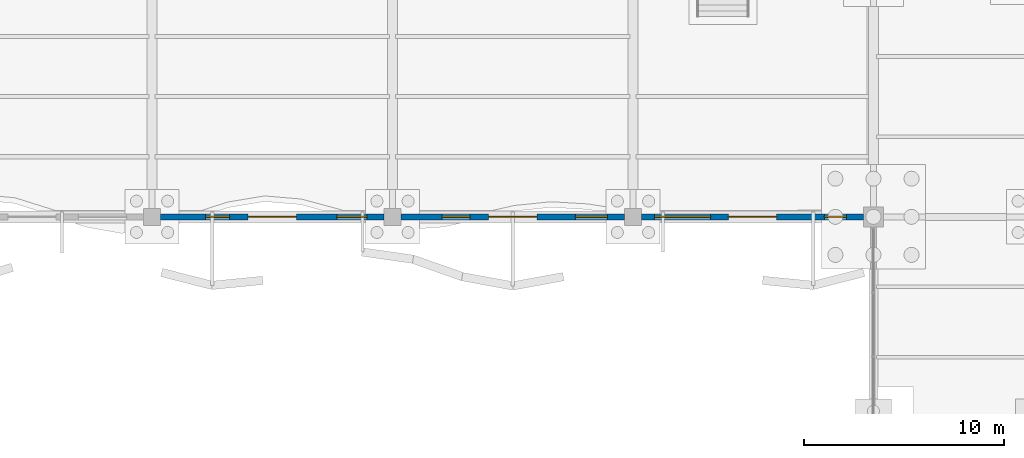
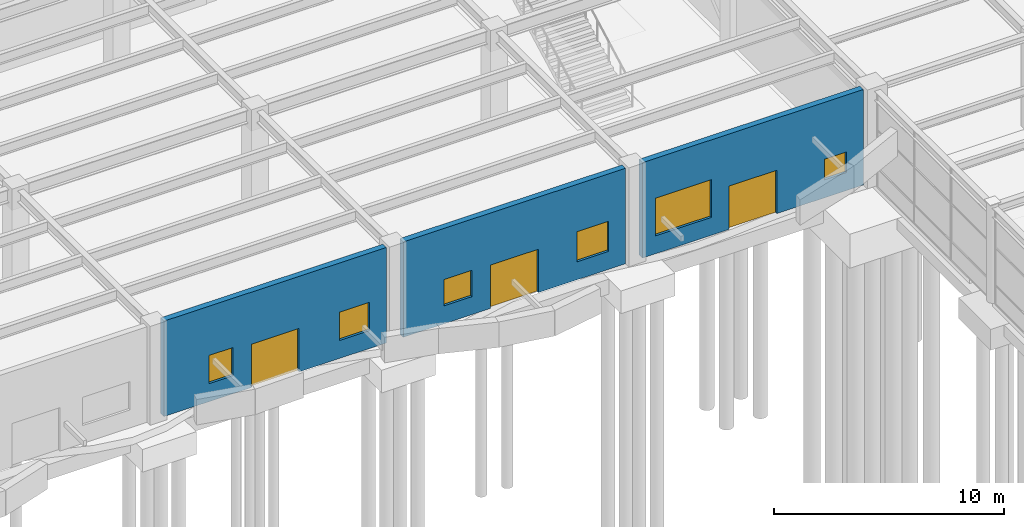
# One storey, part 63 of 85: 6 windows, 3 doors, 3 walls, 9 openings.
"""IFC4 building model written with IfcOpenShell, lengths in metres."""

from ifc_helpers import new_model, si_unit, direction, frame, frame_2d, origin, place, context, subcontext, project, spatial, rectangle, extrude, material, layer, layer_set, type_object, element, fill, save


model = new_model("IFC4")

# Units and contexts
model_context = context("Model", 3, precision=1e-05, world=origin(), true_north=direction((0.0, 1.0)))
body_context = subcontext(model_context, "Body", "Model", "MODEL_VIEW")
ifc_project = project(units=[si_unit("LENGTHUNIT", "METRE"), si_unit("AREAUNIT", "SQUARE_METRE"), si_unit("VOLUMEUNIT", "CUBIC_METRE"), si_unit("PLANEANGLEUNIT", "RADIAN"), si_unit("MASSUNIT", "GRAM", prefix="KILO")], contexts=[model_context])

# Site, building, storey
site_placement = place(None, origin())
site = spatial("IfcSite", under=ifc_project, at=site_placement, CompositionType="ELEMENT")
building_placement = place(site_placement, origin())
building = spatial("IfcBuilding", under=site, at=building_placement, Name="Keelwater Ferry Terminal", CompositionType="ELEMENT")
storey_placement = place(building_placement, origin())
storey = spatial("IfcBuildingStorey", under=building, at=storey_placement, Name="L00", CompositionType="ELEMENT", Elevation=0.0)

# Wall, openings, door, windows
ifc_material_1 = material(Name="Precast concrete C40/50", Category="concrete")
ifc_layer = layer(ifc_material_1, 0.300048828125)
ifc_layer_set = layer_set([ifc_layer], Name="Precast concrete C40/50")
wall_type = type_object("IfcWallType", Name="EW-PC300 External Solid Wall 300", PredefinedType="SOLIDWALL", material=ifc_layer_set)
wall_1_placement = place(storey_placement, frame((107.574951171875, 42.0, 0.0), z_axis=(0.0, 0.0, 1.0), x_axis=(-1.0, 0.0, 0.0)))
wall_1 = element("IfcWall", 1, at=wall_1_placement, inside=storey, type_object=wall_type, Name="External Wall WL-L00-0039", PredefinedType="SOLIDWALL", context=body_context, shape_type="SweptSolid", body=[
    extrude(rectangle(XDim=11.14990234375, YDim=0.300048828125, at=frame_2d((5.574951171875, 0.0))), origin(), (0.0, 0.0, 1.0), 5.06005859375),
])
opening_1_placement = place(wall_1_placement, frame((4.375, 0.0, 0.0)))
opening_1 = element("IfcOpeningElement", 2, at=opening_1_placement, cuts=wall_1, Name="Opening ED-09", PredefinedType="OPENING", context=body_context, shape_type="SweptSolid", body=[
    extrude(rectangle(XDim=2.39990234375, YDim=2.300048828125, at=frame_2d((1.199951171875, 1.14990234375))), frame((0.0, 0.159912109375, 0.0), z_axis=(0.0, -1.0, 0.0), x_axis=(1.0, 0.0, 0.0)), (0.0, 0.0, 1.0), 0.320068359375),
])
opening_2_placement = place(wall_1_placement, frame((0.85009765625, 0.0, 0.949951171875)))
opening_2 = element("IfcOpeningElement", 3, at=opening_2_placement, cuts=wall_1, Name="Opening WN-13", PredefinedType="OPENING", context=body_context, shape_type="SweptSolid", body=[
    extrude(rectangle(XDim=1.5, YDim=1.5, at=frame_2d((0.75, 0.75))), frame((0.0, 0.159912109375, 0.0), z_axis=(0.0, -1.0, 0.0), x_axis=(1.0, 0.0, 0.0)), (0.0, 0.0, 1.0), 0.320068359375),
])
opening_3_placement = place(wall_1_placement, frame((7.699951171875, 0.0, 0.949951171875)))
opening_3 = element("IfcOpeningElement", 4, at=opening_3_placement, cuts=wall_1, Name="Opening WN-14", PredefinedType="OPENING", context=body_context, shape_type="SweptSolid", body=[
    extrude(rectangle(XDim=1.199951171875, YDim=1.5, at=frame_2d((0.60009765625, 0.75))), frame((0.0, 0.159912109375, 0.0), z_axis=(0.0, -1.0, 0.0), x_axis=(1.0, 0.0, 0.0)), (0.0, 0.0, 1.0), 0.320068359375),
])
ifc_material_2 = material(Name="Anodised aluminium and laminated safety glass", Category="aluminium")
door_type = type_object("IfcDoorType", Name="ED-T1 Pedestrian Door 2400x2300", OperationType="DOUBLE_DOOR_SINGLE_SWING", PredefinedType="DOOR", material=ifc_material_2)
door_1_placement = place(opening_1_placement, origin())
door_1 = element("IfcDoor", 5, at=door_1_placement, inside=storey, type_object=door_type, Name="Door ED-09", OperationType="DOUBLE_DOOR_SINGLE_SWING", OverallHeight=2.300048828125, OverallWidth=2.39990234375, PredefinedType="DOOR", context=body_context, shape_type="SweptSolid", body=[
    extrude(rectangle(XDim=2.39990234375, YDim=2.300048828125, at=frame_2d((1.199951171875, 1.14990234375))), frame((0.0, 0.02490234375, 0.0), z_axis=(0.0, -1.0, 0.0), x_axis=(1.0, 0.0, 0.0)), (0.0, 0.0, 1.0), 0.050048828125),
])
fill(opening_1, door_1)
ifc_material_3 = material(Name="Triple low-E glass in thermally broken aluminium frame", Category="aluminium")
window_type_1 = type_object("IfcWindowType", Name="WN-13 Exterior Window 1500x1500", PartitioningType="SINGLE_PANEL", PredefinedType="WINDOW", material=ifc_material_3)
window_1_placement = place(opening_2_placement, origin())
window_1 = element("IfcWindow", 6, at=window_1_placement, inside=storey, type_object=window_type_1, Name="Window WN-L00-0013", OverallHeight=1.5, OverallWidth=1.5, PartitioningType="SINGLE_PANEL", PredefinedType="WINDOW", context=body_context, shape_type="SweptSolid", body=[
    extrude(rectangle(XDim=1.5, YDim=1.5, at=frame_2d((0.75, 0.75))), frame((0.0, 0.030029296875, 0.0), z_axis=(0.0, -1.0, 0.0), x_axis=(1.0, 0.0, 0.0)), (0.0, 0.0, 1.0), 0.06005859375),
])
fill(opening_2, window_1)
ifc_material_4 = material(Name="Triple low-E glass in thermally broken aluminium frame", Category="aluminium")
window_type_2 = type_object("IfcWindowType", Name="WN-14 Exterior Window 1200x1500", PartitioningType="SINGLE_PANEL", PredefinedType="WINDOW", material=ifc_material_4)
window_2_placement = place(opening_3_placement, origin())
window_2 = element("IfcWindow", 7, at=window_2_placement, inside=storey, type_object=window_type_2, Name="Window WN-L00-0014", OverallHeight=1.5, OverallWidth=1.199951171875, PartitioningType="SINGLE_PANEL", PredefinedType="WINDOW", context=body_context, shape_type="SweptSolid", body=[
    extrude(rectangle(XDim=1.199951171875, YDim=1.5, at=frame_2d((0.60009765625, 0.75))), frame((0.0, 0.030029296875, 0.0), z_axis=(0.0, -1.0, 0.0), x_axis=(1.0, 0.0, 0.0)), (0.0, 0.0, 1.0), 0.06005859375),
])
fill(opening_3, window_2)

wall_2_placement = place(storey_placement, frame((119.574951171875, 42.0, 0.0), z_axis=(0.0, 0.0, 1.0), x_axis=(-1.0, 0.0, 0.0)))
wall_2 = element("IfcWall", 8, at=wall_2_placement, inside=storey, type_object=wall_type, Name="External Wall WL-L00-0040", PredefinedType="SOLIDWALL", context=body_context, shape_type="SweptSolid", body=[
    extrude(rectangle(XDim=11.14990234375, YDim=0.300048828125, at=frame_2d((5.574951171875, 0.0))), origin(), (0.0, 0.0, 1.0), 5.06005859375),
])
opening_4_placement = place(wall_2_placement, frame((4.375, 0.0, 0.0)))
opening_4 = element("IfcOpeningElement", 9, at=opening_4_placement, cuts=wall_2, Name="Opening ED-10", PredefinedType="OPENING", context=body_context, shape_type="SweptSolid", body=[
    extrude(rectangle(XDim=2.39990234375, YDim=2.300048828125, at=frame_2d((1.199951171875, 1.14990234375))), frame((0.0, 0.159912109375, 0.0), z_axis=(0.0, -1.0, 0.0), x_axis=(1.0, 0.0, 0.0)), (0.0, 0.0, 1.0), 0.320068359375),
])
opening_5_placement = place(wall_2_placement, frame((0.85009765625, 0.0, 0.949951171875)))
opening_5 = element("IfcOpeningElement", 10, at=opening_5_placement, cuts=wall_2, Name="Opening WN-15", PredefinedType="OPENING", context=body_context, shape_type="SweptSolid", body=[
    extrude(rectangle(XDim=1.60009765625, YDim=1.60009765625, at=frame_2d((0.800048828125, 0.800048828125))), frame((0.0, 0.159912109375, 0.0), z_axis=(0.0, -1.0, 0.0), x_axis=(1.0, 0.0, 0.0)), (0.0, 0.0, 1.0), 0.320068359375),
])
opening_6_placement = place(wall_2_placement, frame((7.699951171875, 0.0, 0.949951171875)))
opening_6 = element("IfcOpeningElement", 11, at=opening_6_placement, cuts=wall_2, Name="Opening WN-16", PredefinedType="OPENING", context=body_context, shape_type="SweptSolid", body=[
    extrude(rectangle(XDim=1.39990234375, YDim=1.39990234375, at=frame_2d((0.699951171875, 0.699951171875))), frame((0.0, 0.159912109375, 0.0), z_axis=(0.0, -1.0, 0.0), x_axis=(1.0, 0.0, 0.0)), (0.0, 0.0, 1.0), 0.320068359375),
])
door_2_placement = place(opening_4_placement, origin())
door_2 = element("IfcDoor", 12, at=door_2_placement, inside=storey, type_object=door_type, Name="Door ED-10", OperationType="DOUBLE_DOOR_SINGLE_SWING", OverallHeight=2.300048828125, OverallWidth=2.39990234375, PredefinedType="DOOR", context=body_context, shape_type="SweptSolid", body=[
    extrude(rectangle(XDim=2.39990234375, YDim=2.300048828125, at=frame_2d((1.199951171875, 1.14990234375))), frame((0.0, 0.02490234375, 0.0), z_axis=(0.0, -1.0, 0.0), x_axis=(1.0, 0.0, 0.0)), (0.0, 0.0, 1.0), 0.050048828125),
])
fill(opening_4, door_2)
ifc_material_5 = material(Name="Triple low-E glass in thermally broken aluminium frame", Category="aluminium")
window_type_3 = type_object("IfcWindowType", Name="WN-15 Exterior Window 1600x1600", PartitioningType="SINGLE_PANEL", PredefinedType="WINDOW", material=ifc_material_5)
window_3_placement = place(opening_5_placement, origin())
window_3 = element("IfcWindow", 13, at=window_3_placement, inside=storey, type_object=window_type_3, Name="Window WN-L00-0015", OverallHeight=1.60009765625, OverallWidth=1.60009765625, PartitioningType="SINGLE_PANEL", PredefinedType="WINDOW", context=body_context, shape_type="SweptSolid", body=[
    extrude(rectangle(XDim=1.60009765625, YDim=1.60009765625, at=frame_2d((0.800048828125, 0.800048828125))), frame((0.0, 0.030029296875, 0.0), z_axis=(0.0, -1.0, 0.0), x_axis=(1.0, 0.0, 0.0)), (0.0, 0.0, 1.0), 0.06005859375),
])
fill(opening_5, window_3)
ifc_material_6 = material(Name="Triple low-E glass in thermally broken aluminium frame", Category="aluminium")
window_type_4 = type_object("IfcWindowType", Name="WN-16 Exterior Window 1400x1400", PartitioningType="SINGLE_PANEL", PredefinedType="WINDOW", material=ifc_material_6)
window_4_placement = place(opening_6_placement, origin())
window_4 = element("IfcWindow", 14, at=window_4_placement, inside=storey, type_object=window_type_4, Name="Window WN-L00-0016", OverallHeight=1.39990234375, OverallWidth=1.39990234375, PartitioningType="SINGLE_PANEL", PredefinedType="WINDOW", context=body_context, shape_type="SweptSolid", body=[
    extrude(rectangle(XDim=1.39990234375, YDim=1.39990234375, at=frame_2d((0.699951171875, 0.699951171875))), frame((0.0, 0.030029296875, 0.0), z_axis=(0.0, -1.0, 0.0), x_axis=(1.0, 0.0, 0.0)), (0.0, 0.0, 1.0), 0.06005859375),
])
fill(opening_6, window_4)

wall_3_placement = place(storey_placement, frame((131.5, 42.0, 0.0), z_axis=(0.0, 0.0, 1.0), x_axis=(-1.0, 0.0, 0.0)))
wall_3 = element("IfcWall", 15, at=wall_3_placement, inside=storey, type_object=wall_type, Name="External Wall WL-L00-0041", PredefinedType="SOLIDWALL", context=body_context, shape_type="SweptSolid", body=[
    extrude(rectangle(XDim=11.074951171875, YDim=0.300048828125, at=frame_2d((5.53759765625, 0.0))), origin(), (0.0, 0.0, 1.0), 5.06005859375),
])
opening_7_placement = place(wall_3_placement, frame((4.337890625, 0.0, 0.0)))
opening_7 = element("IfcOpeningElement", 16, at=opening_7_placement, cuts=wall_3, Name="Opening ED-11", PredefinedType="OPENING", context=body_context, shape_type="SweptSolid", body=[
    extrude(rectangle(XDim=2.39990234375, YDim=2.300048828125, at=frame_2d((1.199951171875, 1.14990234375))), frame((0.0, 0.159912109375, 0.0), z_axis=(0.0, -1.0, 0.0), x_axis=(1.0, 0.0, 0.0)), (0.0, 0.0, 1.0), 0.320068359375),
])
opening_8_placement = place(wall_3_placement, frame((0.85009765625, 0.0, 0.949951171875)))
opening_8 = element("IfcOpeningElement", 17, at=opening_8_placement, cuts=wall_3, Name="Opening WN-17", PredefinedType="OPENING", context=body_context, shape_type="SweptSolid", body=[
    extrude(rectangle(XDim=1.10009765625, YDim=1.10009765625, at=frame_2d((0.550048828125, 0.550048828125))), frame((0.0, 0.159912109375, 0.0), z_axis=(0.0, -1.0, 0.0), x_axis=(1.0, 0.0, 0.0)), (0.0, 0.0, 1.0), 0.320068359375),
])
opening_9_placement = place(wall_3_placement, frame((7.625, 0.0, 0.949951171875)))
opening_9 = element("IfcOpeningElement", 18, at=opening_9_placement, cuts=wall_3, Name="Opening WN-18", PredefinedType="OPENING", context=body_context, shape_type="SweptSolid", body=[
    extrude(rectangle(XDim=2.800048828125, YDim=2.0, at=frame_2d((1.39990234375, 1.0))), frame((0.0, 0.159912109375, 0.0), z_axis=(0.0, -1.0, 0.0), x_axis=(1.0, 0.0, 0.0)), (0.0, 0.0, 1.0), 0.320068359375),
])
door_3_placement = place(opening_7_placement, origin())
door_3 = element("IfcDoor", 19, at=door_3_placement, inside=storey, type_object=door_type, Name="Door ED-11", OperationType="DOUBLE_DOOR_SINGLE_SWING", OverallHeight=2.300048828125, OverallWidth=2.39990234375, PredefinedType="DOOR", context=body_context, shape_type="SweptSolid", body=[
    extrude(rectangle(XDim=2.39990234375, YDim=2.300048828125, at=frame_2d((1.199951171875, 1.14990234375))), frame((0.0, 0.02490234375, 0.0), z_axis=(0.0, -1.0, 0.0), x_axis=(1.0, 0.0, 0.0)), (0.0, 0.0, 1.0), 0.050048828125),
])
fill(opening_7, door_3)
ifc_material_7 = material(Name="Triple low-E glass in thermally broken aluminium frame", Category="aluminium")
window_type_5 = type_object("IfcWindowType", Name="WN-17 Exterior Window 1100x1100", PartitioningType="SINGLE_PANEL", PredefinedType="WINDOW", material=ifc_material_7)
window_5_placement = place(opening_8_placement, origin())
window_5 = element("IfcWindow", 20, at=window_5_placement, inside=storey, type_object=window_type_5, Name="Window WN-L00-0017", OverallHeight=1.10009765625, OverallWidth=1.10009765625, PartitioningType="SINGLE_PANEL", PredefinedType="WINDOW", context=body_context, shape_type="SweptSolid", body=[
    extrude(rectangle(XDim=1.10009765625, YDim=1.10009765625, at=frame_2d((0.550048828125, 0.550048828125))), frame((0.0, 0.030029296875, 0.0), z_axis=(0.0, -1.0, 0.0), x_axis=(1.0, 0.0, 0.0)), (0.0, 0.0, 1.0), 0.06005859375),
])
fill(opening_8, window_5)
ifc_material_8 = material(Name="Triple low-E glass in thermally broken aluminium frame", Category="aluminium")
window_type_6 = type_object("IfcWindowType", Name="WN-18 Exterior Window 2800x2000", PartitioningType="SINGLE_PANEL", PredefinedType="WINDOW", material=ifc_material_8)
window_6_placement = place(opening_9_placement, origin())
window_6 = element("IfcWindow", 21, at=window_6_placement, inside=storey, type_object=window_type_6, Name="Window WN-L00-0018", OverallHeight=2.0, OverallWidth=2.800048828125, PartitioningType="SINGLE_PANEL", PredefinedType="WINDOW", context=body_context, shape_type="SweptSolid", body=[
    extrude(rectangle(XDim=2.800048828125, YDim=2.0, at=frame_2d((1.39990234375, 1.0))), frame((0.0, 0.030029296875, 0.0), z_axis=(0.0, -1.0, 0.0), x_axis=(1.0, 0.0, 0.0)), (0.0, 0.0, 1.0), 0.06005859375),
])
fill(opening_9, window_6)

save(model, "model.ifc")
